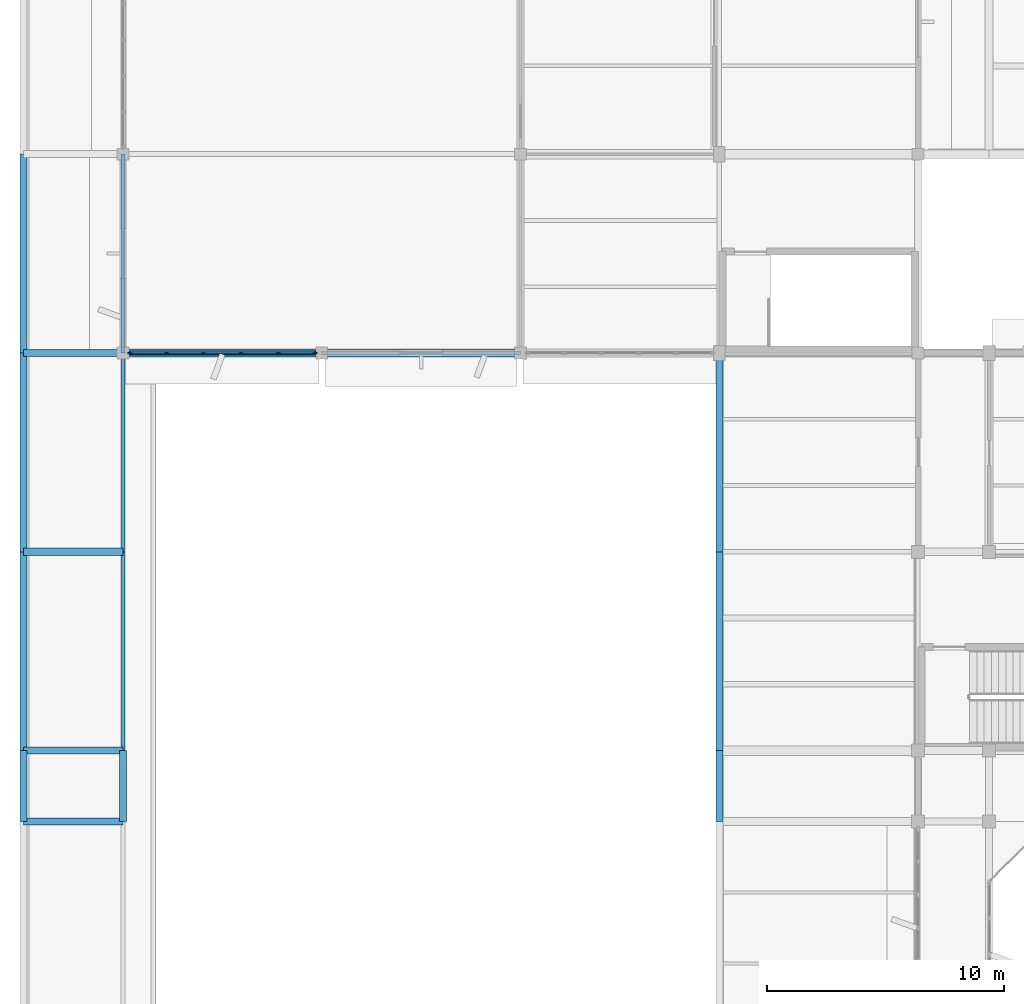
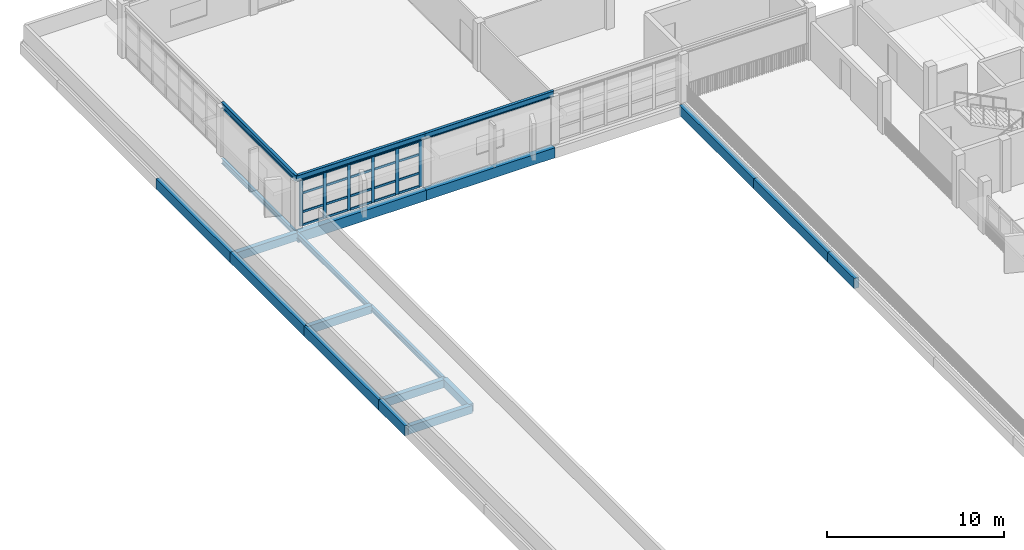
# One storey, part 26 of 92: 26 members, 20 beams, 1 element without a shape of its own.
"""IFC4 building model written with IfcOpenShell, lengths in metres."""

from ifc_helpers import new_model, si_unit, direction, frame, origin, origin_2d, place, context, subcontext, project, spatial, rectangle, i_section, extrude, material, material_profile, profile_set, type_object, element, aggregate, save


model = new_model("IFC4")

# Units and contexts
model_context = context("Model", 3, precision=1e-05, world=origin(), true_north=direction((0.0, 1.0)))
body_context = subcontext(model_context, "Body", "Model", "MODEL_VIEW")
ifc_project = project(units=[si_unit("LENGTHUNIT", "METRE"), si_unit("AREAUNIT", "SQUARE_METRE"), si_unit("VOLUMEUNIT", "CUBIC_METRE"), si_unit("PLANEANGLEUNIT", "RADIAN"), si_unit("MASSUNIT", "GRAM", prefix="KILO")], contexts=[model_context])

# Site, building, storey
site_placement = place(None, origin())
site = spatial("IfcSite", under=ifc_project, at=site_placement, CompositionType="ELEMENT")
building_placement = place(site_placement, origin())
building = spatial("IfcBuilding", under=site, at=building_placement, Name="Vanh Quang Courtyard School", CompositionType="ELEMENT")
storey_placement = place(building_placement, frame((0.0, 0.0, 7.800048828125)))
storey = spatial("IfcBuildingStorey", under=building, at=storey_placement, Name="L02", CompositionType="ELEMENT", Elevation=7.800048828125)

# Beams
ifc_material_1 = material(Name="Concrete C35/45", Category="concrete")
ifc_material_profile_1 = material_profile(ifc_material_1, rectangle(XDim=0.300048828125, YDim=0.550048828125, at=origin_2d()), Name="RC-BM 300x550")
ifc_profile_set_1 = profile_set([ifc_material_profile_1], Name="Concrete C35/45")
beam_type_1 = type_object("IfcBeamType", Name="BM-RC-300x550", PredefinedType="BEAM", material=ifc_profile_set_1)
for number, where, z_axis, x_axis, name in (
    (1, (0.0, 68.39990234375, -0.4951171875), (1.0, 0.0, 0.0), (0.0, 1.0, 0.0), "Beam B-07 (L02)"),
    (2, (0.0, 71.39990234375, -0.4951171875), (1.0, 0.0, 0.0), (0.0, 1.0, 0.0), "Beam B-07 (L02)"),
    (3, (0.0, 79.800048828125, -0.4951171875), (1.0, 0.0, 0.0), (0.0, 1.0, 0.0), "Beam B-07 (L02)"),
    (4, (0.0, 88.199951171875, -0.554931640625), (1.0, 0.0, 0.0), (0.0, 1.0, 0.0), "Beam B-07 (L02)"),
):
    element("IfcBeam", number, at=place(storey_placement, frame(where, z_axis=z_axis, x_axis=x_axis)), inside=storey, type_object=beam_type_1, Name=name, PredefinedType="BEAM", context=body_context, shape_type="SweptSolid", body=[
        extrude(rectangle(XDim=0.300048828125, YDim=0.550048828125, at=origin_2d()), origin(), (0.0, 0.0, 1.0), 4.199951171875),
    ])
beam_1_placement = place(storey_placement, frame((4.199951171875, 68.39990234375, -0.4951171875), z_axis=(0.0, 1.0, 0.0), x_axis=(-1.0, 0.0, 0.0)))
element("IfcBeam", 5, at=beam_1_placement, inside=storey, type_object=beam_type_1, Name="Beam B-07 (L02)", PredefinedType="BEAM", context=body_context, shape_type="SweptSolid", body=[
    extrude(rectangle(XDim=0.300048828125, YDim=0.550048828125, at=origin_2d()), origin(), (0.0, 0.0, 1.0), 3.0),
])
ifc_material_profile_2 = material_profile(ifc_material_1, rectangle(XDim=0.35009765625, YDim=0.699951171875, at=origin_2d()), Name="RC-BM 350x700")
ifc_profile_set_2 = profile_set([ifc_material_profile_2], Name="Concrete C35/45")
beam_type_2 = type_object("IfcBeamType", Name="BM-RC-350x700", PredefinedType="BEAM", material=ifc_profile_set_2)
beam_2_placement = place(storey_placement, frame((4.199951171875, 88.199951171875, -0.630126953125), z_axis=(1.0, 0.0, 0.0), x_axis=(0.0, 1.0, 0.0)))
element("IfcBeam", 6, at=beam_2_placement, inside=storey, type_object=beam_type_2, Name="Beam B-04 (L02)", PredefinedType="BEAM", context=body_context, shape_type="SweptSolid", body=[
    extrude(rectangle(XDim=0.35009765625, YDim=0.699951171875, at=origin_2d()), origin(), (0.0, 0.0, 1.0), 8.400146484375),
])
beam_3_placement = place(storey_placement, frame((12.60009765625, 88.199951171875, -0.630126953125), z_axis=(1.0, 0.0, 0.0), x_axis=(0.0, 1.0, 0.0)))
element("IfcBeam", 7, at=beam_3_placement, inside=storey, type_object=beam_type_2, Name="Beam B-04 (L02)", PredefinedType="BEAM", context=body_context, shape_type="SweptSolid", body=[
    extrude(rectangle(XDim=0.35009765625, YDim=0.699951171875, at=origin_2d()), origin(), (0.0, 0.0, 1.0), 8.39990234375),
])
ifc_material_profile_3 = material_profile(ifc_material_1, rectangle(XDim=0.300048828125, YDim=0.699951171875, at=origin_2d()), Name="RC-SP 300x700")
ifc_profile_set_3 = profile_set([ifc_material_profile_3], Name="Concrete C35/45")
beam_type_3 = type_object("IfcBeamType", Name="BM-SP-300x700", PredefinedType="SPANDREL", material=ifc_profile_set_3)
beam_4_placement = place(storey_placement, frame((0.0, 68.39990234375, -0.570068359375), z_axis=(0.0, 1.0, 0.0), x_axis=(-1.0, 0.0, 0.0)))
element("IfcBeam", 8, at=beam_4_placement, inside=storey, type_object=beam_type_3, Name="Beam BS-01 (L02)", PredefinedType="SPANDREL", context=body_context, shape_type="SweptSolid", body=[
    extrude(rectangle(XDim=0.300048828125, YDim=0.699951171875, at=origin_2d()), origin(), (0.0, 0.0, 1.0), 3.0),
])
beam_5_placement = place(storey_placement, frame((0.0, 71.39990234375, -0.570068359375), z_axis=(0.0, 1.0, 0.0), x_axis=(-1.0, 0.0, 0.0)))
element("IfcBeam", 9, at=beam_5_placement, inside=storey, type_object=beam_type_3, Name="Beam BS-01 (L02)", PredefinedType="SPANDREL", context=body_context, shape_type="SweptSolid", body=[
    extrude(rectangle(XDim=0.300048828125, YDim=0.699951171875, at=origin_2d()), origin(), (0.0, 0.0, 1.0), 8.400146484375),
])
beam_6_placement = place(storey_placement, frame((0.0, 79.800048828125, -0.570068359375), z_axis=(0.0, 1.0, 0.0), x_axis=(-1.0, 0.0, 0.0)))
element("IfcBeam", 10, at=beam_6_placement, inside=storey, type_object=beam_type_3, Name="Beam BS-01 (L02)", PredefinedType="SPANDREL", context=body_context, shape_type="SweptSolid", body=[
    extrude(rectangle(XDim=0.300048828125, YDim=0.699951171875, at=origin_2d()), origin(), (0.0, 0.0, 1.0), 8.39990234375),
])
beam_7_placement = place(storey_placement, frame((0.0, 88.199951171875, -0.570068359375), z_axis=(0.0, 1.0, 0.0), x_axis=(-1.0, 0.0, 0.0)))
element("IfcBeam", 11, at=beam_7_placement, inside=storey, type_object=beam_type_3, Name="Beam BS-01 (L02)", PredefinedType="SPANDREL", context=body_context, shape_type="SweptSolid", body=[
    extrude(rectangle(XDim=0.300048828125, YDim=0.699951171875, at=origin_2d()), origin(), (0.0, 0.0, 1.0), 8.400146484375),
])
beam_8_placement = place(storey_placement, frame((29.39990234375, 68.39990234375, -0.670166015625), z_axis=(0.0, 1.0, 0.0), x_axis=(-1.0, 0.0, 0.0)))
element("IfcBeam", 12, at=beam_8_placement, inside=storey, type_object=beam_type_3, Name="Beam BS-01 (L02)", PredefinedType="SPANDREL", context=body_context, shape_type="SweptSolid", body=[
    extrude(rectangle(XDim=0.300048828125, YDim=0.699951171875, at=origin_2d()), origin(), (0.0, 0.0, 1.0), 3.0),
])
beam_9_placement = place(storey_placement, frame((29.39990234375, 71.39990234375, -0.670166015625), z_axis=(0.0, 1.0, 0.0), x_axis=(-1.0, 0.0, 0.0)))
element("IfcBeam", 13, at=beam_9_placement, inside=storey, type_object=beam_type_3, Name="Beam BS-01 (L02)", PredefinedType="SPANDREL", context=body_context, shape_type="SweptSolid", body=[
    extrude(rectangle(XDim=0.300048828125, YDim=0.699951171875, at=origin_2d()), origin(), (0.0, 0.0, 1.0), 8.400146484375),
])
beam_10_placement = place(storey_placement, frame((29.39990234375, 79.800048828125, -0.670166015625), z_axis=(0.0, 1.0, 0.0), x_axis=(-1.0, 0.0, 0.0)))
element("IfcBeam", 14, at=beam_10_placement, inside=storey, type_object=beam_type_3, Name="Beam BS-01 (L02)", PredefinedType="SPANDREL", context=body_context, shape_type="SweptSolid", body=[
    extrude(rectangle(XDim=0.300048828125, YDim=0.699951171875, at=origin_2d()), origin(), (0.0, 0.0, 1.0), 8.39990234375),
])
ifc_material_2 = material(Name="Structural steel EN 10025-2 S355J2", Category="steel")
ifc_material_profile_4 = material_profile(ifc_material_2, i_section(OverallWidth=0.169921875, OverallDepth=0.360107421875, WebThickness=0.008056640625, FlangeThickness=0.0126953125, FilletRadius=0.01806640625, at=origin_2d()), Name="IPE 360")
ifc_profile_set_4 = profile_set([ifc_material_profile_4], Name="Structural steel EN 10025-2 S355J2")
beam_type_4 = type_object("IfcBeamType", Name="BM-STL-IPE360", PredefinedType="BEAM", material=ifc_profile_set_4)
beam_11_placement = place(storey_placement, frame((4.199951171875, 71.39990234375, -0.400146484375), z_axis=(0.0, 1.0, 0.0), x_axis=(-1.0, 0.0, 0.0)))
element("IfcBeam", 15, at=beam_11_placement, inside=storey, type_object=beam_type_4, Name="Beam SB-06 (L02)", PredefinedType="BEAM", context=body_context, shape_type="SweptSolid", body=[
    extrude(i_section(OverallWidth=0.169921875, OverallDepth=0.360107421875, WebThickness=0.008056640625, FlangeThickness=0.0126953125, FilletRadius=0.01806640625, at=origin_2d()), origin(), (0.0, 0.0, 1.0), 8.400146484375),
])
beam_12_placement = place(storey_placement, frame((4.199951171875, 79.800048828125, -0.4599609375), z_axis=(0.0, 1.0, 0.0), x_axis=(-1.0, 0.0, 0.0)))
element("IfcBeam", 16, at=beam_12_placement, inside=storey, type_object=beam_type_4, Name="Beam SB-06 (L02)", PredefinedType="BEAM", context=body_context, shape_type="SweptSolid", body=[
    extrude(i_section(OverallWidth=0.169921875, OverallDepth=0.360107421875, WebThickness=0.008056640625, FlangeThickness=0.0126953125, FilletRadius=0.01806640625, at=origin_2d()), origin(), (0.0, 0.0, 1.0), 8.39990234375),
])
beam_13_placement = place(storey_placement, frame((4.199951171875, 88.199951171875, -0.4599609375), z_axis=(0.0, 1.0, 0.0), x_axis=(-1.0, 0.0, 0.0)))
element("IfcBeam", 17, at=beam_13_placement, inside=storey, type_object=beam_type_4, Name="Beam SB-06 (L02)", PredefinedType="BEAM", context=body_context, shape_type="SweptSolid", body=[
    extrude(i_section(OverallWidth=0.169921875, OverallDepth=0.360107421875, WebThickness=0.008056640625, FlangeThickness=0.0126953125, FilletRadius=0.01806640625, at=origin_2d()), origin(), (0.0, 0.0, 1.0), 8.400146484375),
])
ifc_material_profile_5 = material_profile(ifc_material_2, i_section(OverallWidth=0.179931640625, OverallDepth=0.39990234375, WebThickness=0.008544921875, FlangeThickness=0.013427734375, FilletRadius=0.02099609375, at=origin_2d()), Name="IPE 400")
ifc_profile_set_5 = profile_set([ifc_material_profile_5], Name="Structural steel EN 10025-2 S355J2")
beam_type_5 = type_object("IfcBeamType", Name="BM-STL-IPE400", PredefinedType="BEAM", material=ifc_profile_set_5)
beam_14_placement = place(storey_placement, frame((4.199951171875, 88.199951171875, 3.39990234375), z_axis=(1.0, 0.0, 0.0), x_axis=(0.0, 1.0, 0.0)))
element("IfcBeam", 18, at=beam_14_placement, inside=storey, type_object=beam_type_5, Name="Beam SB-05 (L02)", PredefinedType="BEAM", context=body_context, shape_type="SweptSolid", body=[
    extrude(i_section(OverallWidth=0.179931640625, OverallDepth=0.39990234375, WebThickness=0.008544921875, FlangeThickness=0.013427734375, FilletRadius=0.02099609375, at=origin_2d()), origin(), (0.0, 0.0, 1.0), 8.400146484375),
])
beam_15_placement = place(storey_placement, frame((12.60009765625, 88.199951171875, 3.39990234375), z_axis=(1.0, 0.0, 0.0), x_axis=(0.0, 1.0, 0.0)))
element("IfcBeam", 19, at=beam_15_placement, inside=storey, type_object=beam_type_5, Name="Beam SB-05 (L02)", PredefinedType="BEAM", context=body_context, shape_type="SweptSolid", body=[
    extrude(i_section(OverallWidth=0.179931640625, OverallDepth=0.39990234375, WebThickness=0.008544921875, FlangeThickness=0.013427734375, FilletRadius=0.02099609375, at=origin_2d()), origin(), (0.0, 0.0, 1.0), 8.39990234375),
])
beam_16_placement = place(storey_placement, frame((4.199951171875, 88.199951171875, 3.39990234375), z_axis=(0.0, 1.0, 0.0), x_axis=(-1.0, 0.0, 0.0)))
element("IfcBeam", 20, at=beam_16_placement, inside=storey, type_object=beam_type_5, Name="Beam SB-05 (L02)", PredefinedType="BEAM", context=body_context, shape_type="SweptSolid", body=[
    extrude(i_section(OverallWidth=0.179931640625, OverallDepth=0.39990234375, WebThickness=0.008544921875, FlangeThickness=0.013427734375, FilletRadius=0.02099609375, at=origin_2d()), origin(), (0.0, 0.0, 1.0), 8.400146484375),
])

# Curtain wall, members
ifc_material_3 = material(Name="Thermally broken aluminium unitised curtain wall", Category="aluminium")
curtain_wall_type = type_object("IfcCurtainWallType", Name="CW-SYS-08", PredefinedType="NOTDEFINED", material=ifc_material_3)
curtain_wall_placement = place(storey_placement, origin())
curtain_wall = element("IfcCurtainWall", 21, at=curtain_wall_placement, inside=storey, type_object=curtain_wall_type, Name="Curtain Wall CW-08 (L02)", PredefinedType="NOTDEFINED")
ifc_material_4 = material(Name="Anodised aluminium 6063-T6", Category="aluminium")
ifc_material_profile_6 = material_profile(ifc_material_4, rectangle(XDim=0.080078125, YDim=0.199951171875, at=origin_2d()), Name="ALU-MUL 80x200")
ifc_profile_set_6 = profile_set([ifc_material_profile_6], Name="Anodised aluminium 6063-T6")
member_type_1 = type_object("IfcMemberType", Name="CW-MUL-80x200", PredefinedType="MULLION", material=ifc_profile_set_6)
member_1_placement = place(storey_placement, frame((12.302001953125, 88.199951171875, 0.0), z_axis=(0.0, 0.0, 1.0), x_axis=(0.0, -1.0, 0.0)))
member_1 = element("IfcMember", 22, at=member_1_placement, type_object=member_type_1, Name="CW-08 mullion 1", PredefinedType="MULLION", context=body_context, shape_type="SweptSolid", body=[
    extrude(rectangle(XDim=0.080078125, YDim=0.199951171875, at=origin_2d()), origin(), (0.0, 0.0, 1.0), 3.199951171875),
])
member_2_placement = place(storey_placement, frame((10.76513671875, 88.199951171875, 0.0), z_axis=(0.0, 0.0, 1.0), x_axis=(0.0, -1.0, 0.0)))
member_2 = element("IfcMember", 23, at=member_2_placement, type_object=member_type_1, Name="CW-08 mullion 2", PredefinedType="MULLION", context=body_context, shape_type="SweptSolid", body=[
    extrude(rectangle(XDim=0.080078125, YDim=0.199951171875, at=origin_2d()), origin(), (0.0, 0.0, 1.0), 3.199951171875),
])
member_3_placement = place(storey_placement, frame((9.1884765625, 88.199951171875, 0.0), z_axis=(0.0, 0.0, 1.0), x_axis=(0.0, -1.0, 0.0)))
member_3 = element("IfcMember", 24, at=member_3_placement, type_object=member_type_1, Name="CW-08 mullion 3", PredefinedType="MULLION", context=body_context, shape_type="SweptSolid", body=[
    extrude(rectangle(XDim=0.080078125, YDim=0.199951171875, at=origin_2d()), origin(), (0.0, 0.0, 1.0), 3.199951171875),
])
member_4_placement = place(storey_placement, frame((7.611572265625, 88.199951171875, 0.0), z_axis=(0.0, 0.0, 1.0), x_axis=(0.0, -1.0, 0.0)))
member_4 = element("IfcMember", 25, at=member_4_placement, type_object=member_type_1, Name="CW-08 mullion 4", PredefinedType="MULLION", context=body_context, shape_type="SweptSolid", body=[
    extrude(rectangle(XDim=0.080078125, YDim=0.199951171875, at=origin_2d()), origin(), (0.0, 0.0, 1.0), 3.199951171875),
])
member_5_placement = place(storey_placement, frame((6.034912109375, 88.199951171875, 0.0), z_axis=(0.0, 0.0, 1.0), x_axis=(0.0, -1.0, 0.0)))
member_5 = element("IfcMember", 26, at=member_5_placement, type_object=member_type_1, Name="CW-08 mullion 5", PredefinedType="MULLION", context=body_context, shape_type="SweptSolid", body=[
    extrude(rectangle(XDim=0.080078125, YDim=0.199951171875, at=origin_2d()), origin(), (0.0, 0.0, 1.0), 3.199951171875),
])
member_6_placement = place(storey_placement, frame((4.498046875, 88.199951171875, 0.0), z_axis=(0.0, 0.0, 1.0), x_axis=(0.0, -1.0, 0.0)))
member_6 = element("IfcMember", 27, at=member_6_placement, type_object=member_type_1, Name="CW-08 mullion 6", PredefinedType="MULLION", context=body_context, shape_type="SweptSolid", body=[
    extrude(rectangle(XDim=0.080078125, YDim=0.199951171875, at=origin_2d()), origin(), (0.0, 0.0, 1.0), 3.199951171875),
])
ifc_material_profile_7 = material_profile(ifc_material_4, rectangle(XDim=0.080078125, YDim=0.14990234375, at=origin_2d()), Name="ALU-TRN 80x150")
ifc_profile_set_7 = profile_set([ifc_material_profile_7], Name="Anodised aluminium 6063-T6")
member_type_2 = type_object("IfcMemberType", Name="CW-TRN-80x150", PredefinedType="USERDEFINED", material=ifc_profile_set_7)
member_7_placement = place(storey_placement, frame((12.261962890625, 88.199951171875, 0.0400390625), z_axis=(-1.0, 0.0, 0.0), x_axis=(0.0, -1.0, 0.0)))
member_7 = element("IfcMember", 28, at=member_7_placement, type_object=member_type_2, Name="CW-08 transom 1.1", ObjectType="TRANSOM", PredefinedType="USERDEFINED", context=body_context, shape_type="SweptSolid", body=[
    extrude(rectangle(XDim=0.080078125, YDim=0.14990234375, at=origin_2d()), origin(), (0.0, 0.0, 1.0), 1.456787109375),
])
member_8_placement = place(storey_placement, frame((12.261962890625, 88.199951171875, 0.949951171875), z_axis=(-1.0, 0.0, 0.0), x_axis=(0.0, -1.0, 0.0)))
member_8 = element("IfcMember", 29, at=member_8_placement, type_object=member_type_2, Name="CW-08 transom 1.2", ObjectType="TRANSOM", PredefinedType="USERDEFINED", context=body_context, shape_type="SweptSolid", body=[
    extrude(rectangle(XDim=0.080078125, YDim=0.14990234375, at=origin_2d()), origin(), (0.0, 0.0, 1.0), 1.456787109375),
])
member_9_placement = place(storey_placement, frame((12.261962890625, 88.199951171875, 2.25), z_axis=(-1.0, 0.0, 0.0), x_axis=(0.0, -1.0, 0.0)))
member_9 = element("IfcMember", 30, at=member_9_placement, type_object=member_type_2, Name="CW-08 transom 1.3", ObjectType="TRANSOM", PredefinedType="USERDEFINED", context=body_context, shape_type="SweptSolid", body=[
    extrude(rectangle(XDim=0.080078125, YDim=0.14990234375, at=origin_2d()), origin(), (0.0, 0.0, 1.0), 1.456787109375),
])
member_10_placement = place(storey_placement, frame((12.261962890625, 88.199951171875, 3.159912109375), z_axis=(-1.0, 0.0, 0.0), x_axis=(0.0, -1.0, 0.0)))
member_10 = element("IfcMember", 31, at=member_10_placement, type_object=member_type_2, Name="CW-08 transom 1.4", ObjectType="TRANSOM", PredefinedType="USERDEFINED", context=body_context, shape_type="SweptSolid", body=[
    extrude(rectangle(XDim=0.080078125, YDim=0.14990234375, at=origin_2d()), origin(), (0.0, 0.0, 1.0), 1.456787109375),
])
member_11_placement = place(storey_placement, frame((10.72509765625, 88.199951171875, 0.0400390625), z_axis=(-1.0, 0.0, 0.0), x_axis=(0.0, -1.0, 0.0)))
member_11 = element("IfcMember", 32, at=member_11_placement, type_object=member_type_2, Name="CW-08 transom 2.1", ObjectType="TRANSOM", PredefinedType="USERDEFINED", context=body_context, shape_type="SweptSolid", body=[
    extrude(rectangle(XDim=0.080078125, YDim=0.14990234375, at=origin_2d()), origin(), (0.0, 0.0, 1.0), 1.49658203125),
])
member_12_placement = place(storey_placement, frame((10.72509765625, 88.199951171875, 0.949951171875), z_axis=(-1.0, 0.0, 0.0), x_axis=(0.0, -1.0, 0.0)))
member_12 = element("IfcMember", 33, at=member_12_placement, type_object=member_type_2, Name="CW-08 transom 2.2", ObjectType="TRANSOM", PredefinedType="USERDEFINED", context=body_context, shape_type="SweptSolid", body=[
    extrude(rectangle(XDim=0.080078125, YDim=0.14990234375, at=origin_2d()), origin(), (0.0, 0.0, 1.0), 1.49658203125),
])
member_13_placement = place(storey_placement, frame((10.72509765625, 88.199951171875, 2.25), z_axis=(-1.0, 0.0, 0.0), x_axis=(0.0, -1.0, 0.0)))
member_13 = element("IfcMember", 34, at=member_13_placement, type_object=member_type_2, Name="CW-08 transom 2.3", ObjectType="TRANSOM", PredefinedType="USERDEFINED", context=body_context, shape_type="SweptSolid", body=[
    extrude(rectangle(XDim=0.080078125, YDim=0.14990234375, at=origin_2d()), origin(), (0.0, 0.0, 1.0), 1.49658203125),
])
member_14_placement = place(storey_placement, frame((10.72509765625, 88.199951171875, 3.159912109375), z_axis=(-1.0, 0.0, 0.0), x_axis=(0.0, -1.0, 0.0)))
member_14 = element("IfcMember", 35, at=member_14_placement, type_object=member_type_2, Name="CW-08 transom 2.4", ObjectType="TRANSOM", PredefinedType="USERDEFINED", context=body_context, shape_type="SweptSolid", body=[
    extrude(rectangle(XDim=0.080078125, YDim=0.14990234375, at=origin_2d()), origin(), (0.0, 0.0, 1.0), 1.49658203125),
])
member_15_placement = place(storey_placement, frame((9.1484375, 88.199951171875, 0.0400390625), z_axis=(-1.0, 0.0, 0.0), x_axis=(0.0, -1.0, 0.0)))
member_15 = element("IfcMember", 36, at=member_15_placement, type_object=member_type_2, Name="CW-08 transom 3.1", ObjectType="TRANSOM", PredefinedType="USERDEFINED", context=body_context, shape_type="SweptSolid", body=[
    extrude(rectangle(XDim=0.080078125, YDim=0.14990234375, at=origin_2d()), origin(), (0.0, 0.0, 1.0), 1.496826171875),
])
member_16_placement = place(storey_placement, frame((9.1484375, 88.199951171875, 0.949951171875), z_axis=(-1.0, 0.0, 0.0), x_axis=(0.0, -1.0, 0.0)))
member_16 = element("IfcMember", 37, at=member_16_placement, type_object=member_type_2, Name="CW-08 transom 3.2", ObjectType="TRANSOM", PredefinedType="USERDEFINED", context=body_context, shape_type="SweptSolid", body=[
    extrude(rectangle(XDim=0.080078125, YDim=0.14990234375, at=origin_2d()), origin(), (0.0, 0.0, 1.0), 1.496826171875),
])
member_17_placement = place(storey_placement, frame((9.1484375, 88.199951171875, 2.25), z_axis=(-1.0, 0.0, 0.0), x_axis=(0.0, -1.0, 0.0)))
member_17 = element("IfcMember", 38, at=member_17_placement, type_object=member_type_2, Name="CW-08 transom 3.3", ObjectType="TRANSOM", PredefinedType="USERDEFINED", context=body_context, shape_type="SweptSolid", body=[
    extrude(rectangle(XDim=0.080078125, YDim=0.14990234375, at=origin_2d()), origin(), (0.0, 0.0, 1.0), 1.496826171875),
])
member_18_placement = place(storey_placement, frame((9.1484375, 88.199951171875, 3.159912109375), z_axis=(-1.0, 0.0, 0.0), x_axis=(0.0, -1.0, 0.0)))
member_18 = element("IfcMember", 39, at=member_18_placement, type_object=member_type_2, Name="CW-08 transom 3.4", ObjectType="TRANSOM", PredefinedType="USERDEFINED", context=body_context, shape_type="SweptSolid", body=[
    extrude(rectangle(XDim=0.080078125, YDim=0.14990234375, at=origin_2d()), origin(), (0.0, 0.0, 1.0), 1.496826171875),
])
member_19_placement = place(storey_placement, frame((7.571533203125, 88.199951171875, 0.0400390625), z_axis=(-1.0, 0.0, 0.0), x_axis=(0.0, -1.0, 0.0)))
member_19 = element("IfcMember", 40, at=member_19_placement, type_object=member_type_2, Name="CW-08 transom 4.1", ObjectType="TRANSOM", PredefinedType="USERDEFINED", context=body_context, shape_type="SweptSolid", body=[
    extrude(rectangle(XDim=0.080078125, YDim=0.14990234375, at=origin_2d()), origin(), (0.0, 0.0, 1.0), 1.496826171875),
])
member_20_placement = place(storey_placement, frame((7.571533203125, 88.199951171875, 0.949951171875), z_axis=(-1.0, 0.0, 0.0), x_axis=(0.0, -1.0, 0.0)))
member_20 = element("IfcMember", 41, at=member_20_placement, type_object=member_type_2, Name="CW-08 transom 4.2", ObjectType="TRANSOM", PredefinedType="USERDEFINED", context=body_context, shape_type="SweptSolid", body=[
    extrude(rectangle(XDim=0.080078125, YDim=0.14990234375, at=origin_2d()), origin(), (0.0, 0.0, 1.0), 1.496826171875),
])
member_21_placement = place(storey_placement, frame((7.571533203125, 88.199951171875, 2.25), z_axis=(-1.0, 0.0, 0.0), x_axis=(0.0, -1.0, 0.0)))
member_21 = element("IfcMember", 42, at=member_21_placement, type_object=member_type_2, Name="CW-08 transom 4.3", ObjectType="TRANSOM", PredefinedType="USERDEFINED", context=body_context, shape_type="SweptSolid", body=[
    extrude(rectangle(XDim=0.080078125, YDim=0.14990234375, at=origin_2d()), origin(), (0.0, 0.0, 1.0), 1.496826171875),
])
member_22_placement = place(storey_placement, frame((7.571533203125, 88.199951171875, 3.159912109375), z_axis=(-1.0, 0.0, 0.0), x_axis=(0.0, -1.0, 0.0)))
member_22 = element("IfcMember", 43, at=member_22_placement, type_object=member_type_2, Name="CW-08 transom 4.4", ObjectType="TRANSOM", PredefinedType="USERDEFINED", context=body_context, shape_type="SweptSolid", body=[
    extrude(rectangle(XDim=0.080078125, YDim=0.14990234375, at=origin_2d()), origin(), (0.0, 0.0, 1.0), 1.496826171875),
])
member_23_placement = place(storey_placement, frame((5.994873046875, 88.199951171875, 0.0400390625), z_axis=(-1.0, 0.0, 0.0), x_axis=(0.0, -1.0, 0.0)))
member_23 = element("IfcMember", 44, at=member_23_placement, type_object=member_type_2, Name="CW-08 transom 5.1", ObjectType="TRANSOM", PredefinedType="USERDEFINED", context=body_context, shape_type="SweptSolid", body=[
    extrude(rectangle(XDim=0.080078125, YDim=0.14990234375, at=origin_2d()), origin(), (0.0, 0.0, 1.0), 1.456787109375),
])
member_24_placement = place(storey_placement, frame((5.994873046875, 88.199951171875, 0.949951171875), z_axis=(-1.0, 0.0, 0.0), x_axis=(0.0, -1.0, 0.0)))
member_24 = element("IfcMember", 45, at=member_24_placement, type_object=member_type_2, Name="CW-08 transom 5.2", ObjectType="TRANSOM", PredefinedType="USERDEFINED", context=body_context, shape_type="SweptSolid", body=[
    extrude(rectangle(XDim=0.080078125, YDim=0.14990234375, at=origin_2d()), origin(), (0.0, 0.0, 1.0), 1.456787109375),
])
member_25_placement = place(storey_placement, frame((5.994873046875, 88.199951171875, 2.25), z_axis=(-1.0, 0.0, 0.0), x_axis=(0.0, -1.0, 0.0)))
member_25 = element("IfcMember", 46, at=member_25_placement, type_object=member_type_2, Name="CW-08 transom 5.3", ObjectType="TRANSOM", PredefinedType="USERDEFINED", context=body_context, shape_type="SweptSolid", body=[
    extrude(rectangle(XDim=0.080078125, YDim=0.14990234375, at=origin_2d()), origin(), (0.0, 0.0, 1.0), 1.456787109375),
])
member_26_placement = place(storey_placement, frame((5.994873046875, 88.199951171875, 3.159912109375), z_axis=(-1.0, 0.0, 0.0), x_axis=(0.0, -1.0, 0.0)))
member_26 = element("IfcMember", 47, at=member_26_placement, type_object=member_type_2, Name="CW-08 transom 5.4", ObjectType="TRANSOM", PredefinedType="USERDEFINED", context=body_context, shape_type="SweptSolid", body=[
    extrude(rectangle(XDim=0.080078125, YDim=0.14990234375, at=origin_2d()), origin(), (0.0, 0.0, 1.0), 1.456787109375),
])
aggregate(curtain_wall, [member_1, member_2, member_3, member_4, member_5, member_6, member_7, member_8, member_9, member_10, member_11, member_12, member_13, member_14, member_15, member_16, member_17, member_18, member_19, member_20, member_21, member_22, member_23, member_24, member_25, member_26])

save(model, "model.ifc")
